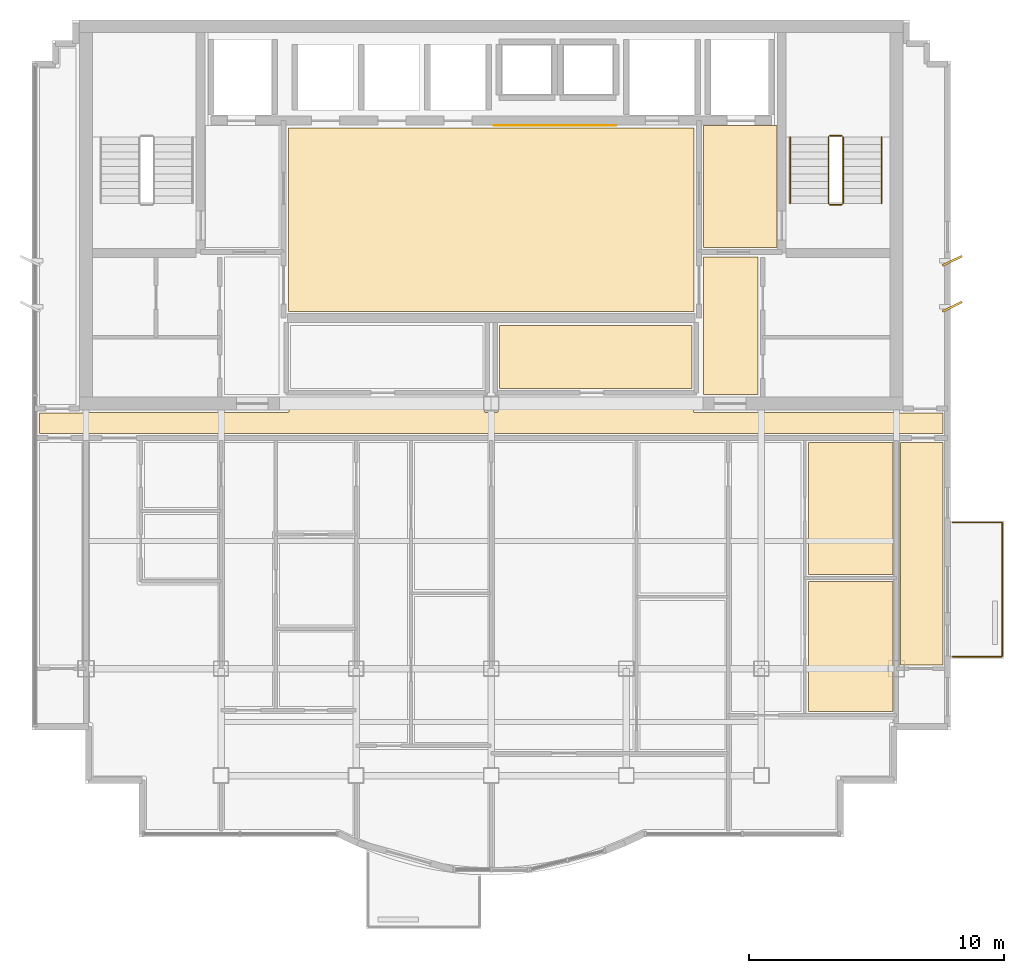
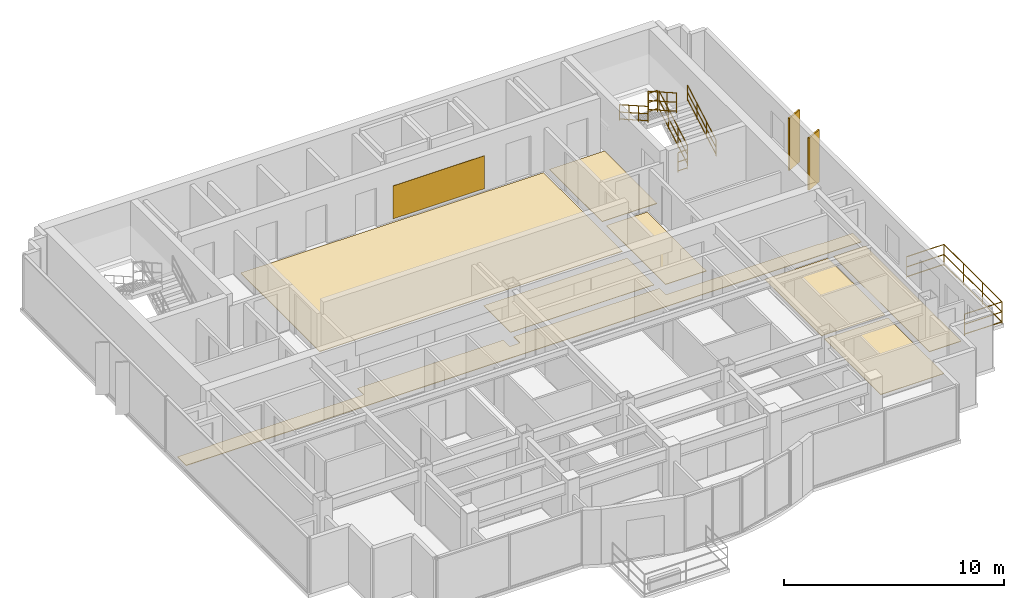
# One storey, part 11 of 11: 9 coverings, 7 railings, 2 shading devices.
"""IFC4 building model written with IfcOpenShell, lengths in metres."""

from ifc_helpers import new_model, si_unit, direction, frame, origin, origin_2d, place, context, subcontext, project, spatial, polyline, rectangle, circle, outline, extrude, source, transform, mapped, material, layer, layer_set, type_object, element, save


model = new_model("IFC4")

# Units and contexts
model_context = context("Model", 3, precision=1e-05, world=origin(), true_north=direction((0.0, 1.0)))
body_context = subcontext(model_context, "Body", "Model", "MODEL_VIEW")
ifc_project = project(units=[si_unit("LENGTHUNIT", "METRE"), si_unit("AREAUNIT", "SQUARE_METRE"), si_unit("VOLUMEUNIT", "CUBIC_METRE"), si_unit("PLANEANGLEUNIT", "RADIAN"), si_unit("MASSUNIT", "GRAM", prefix="KILO")], contexts=[model_context])

# Site, building, storey
site_placement = place(None, origin())
site = spatial("IfcSite", under=ifc_project, at=site_placement, CompositionType="ELEMENT")
building_placement = place(site_placement, origin())
building = spatial("IfcBuilding", under=site, at=building_placement, Name="Qianlan Lanfeng Residences", CompositionType="ELEMENT")
storey_placement = place(building_placement, frame((0.0, 0.0, 262.699951171875)))
storey = spatial("IfcBuildingStorey", under=building, at=storey_placement, Name="L73", CompositionType="ELEMENT", Elevation=262.699951171875)

# Coverings
ifc_material_1 = material(Name="Anodised Bronze Feature Wall Cladding")
ifc_layer_1 = layer(ifc_material_1, 0.02490234375)
ifc_layer_set_1 = layer_set([ifc_layer_1], Name="Anodised Bronze Feature Wall Cladding")
covering_type_1 = type_object("IfcCoveringType", Name="CLD-BRZ-25", PredefinedType="CLADDING", material=ifc_layer_set_1)
covering_1_placement = place(storey_placement, frame((0.0, 0.0, 0.150146484375)))
element("IfcCovering", 1, at=covering_1_placement, inside=storey, type_object=covering_type_1, Name="L73 Lift Lobby Bronze Feature Cladding", PredefinedType="CLADDING", context=body_context, shape_type="SweptSolid", body=[
    extrude(outline(polyline([(26.60009765625, 36.10009765625), (31.39990234375, 36.10009765625), (31.39990234375, 36.125), (26.60009765625, 36.125), (26.60009765625, 36.10009765625)])), origin(), (0.0, 0.0, 1.0), 1.829833984375),
])
ifc_material_2 = material(Name="Honed Taitung Granite Stone Flooring", Category="masonry")
ifc_layer_2 = layer(ifc_material_2, 0.030029296875)
ifc_layer_set_2 = layer_set([ifc_layer_2], Name="Honed Taitung Granite Stone Flooring")
covering_type_2 = type_object("IfcCoveringType", Name="FLR-STN-30", PredefinedType="FLOORING", material=ifc_layer_set_2)
covering_2_placement = place(storey_placement, origin())
element("IfcCovering", 2, at=covering_2_placement, inside=storey, type_object=covering_type_2, Name="L73 Firefighting Lift Lobby Floor Finish", PredefinedType="FLOORING", context=body_context, shape_type="SweptSolid", body=[
    extrude(outline(polyline([(34.820068359375, 31.320068359375), (37.7099609375, 31.320068359375), (37.7099609375, 36.110107421875), (34.820068359375, 36.110107421875), (34.820068359375, 31.320068359375)])), origin(), (0.0, 0.0, 1.0), 0.030029296875),
])
covering_3_placement = place(storey_placement, origin())
element("IfcCovering", 3, at=covering_3_placement, inside=storey, type_object=covering_type_2, Name="L73 Lift Lobby Floor Finish", PredefinedType="FLOORING", context=body_context, shape_type="SweptSolid", body=[
    extrude(outline(polyline([(18.550048828125, 28.820068359375), (34.449951171875, 28.820068359375), (34.449951171875, 36.010009765625), (18.550048828125, 36.010009765625), (18.550048828125, 28.820068359375)])), origin(), (0.0, 0.0, 1.0), 0.030029296875),
])
covering_4_placement = place(storey_placement, origin())
element("IfcCovering", 4, at=covering_4_placement, inside=storey, type_object=covering_type_2, Name="L73 Residential Corridor Floor Finish", PredefinedType="FLOORING", context=body_context, shape_type="SweptSolid", body=[
    extrude(outline(polyline([(8.77001953125, 24.030029296875), (44.22998046875, 24.030029296875), (44.22998046875, 24.820068359375), (42.5400390625, 24.820068359375), (42.532958984375, 24.820068359375), (42.52587890625, 24.821044921875), (42.52001953125, 24.822998046875), (42.512939453125, 24.824951171875), (42.507080078125, 24.827880859375), (42.5009765625, 24.83203125), (42.49609375, 24.8359375), (42.490966796875, 24.841064453125), (42.486083984375, 24.845947265625), (42.48291015625, 24.85009765625), (34.5, 24.85009765625), (34.492919921875, 24.85009765625), (34.486083984375, 24.85107421875), (34.47998046875, 24.85302734375), (34.472900390625, 24.85498046875), (34.467041015625, 24.85791015625), (34.4609375, 24.862060546875), (34.4560546875, 24.865966796875), (34.450927734375, 24.87109375), (34.446044921875, 24.8759765625), (34.44189453125, 24.881103515625), (34.43798828125, 24.886962890625), (34.43505859375, 24.89306640625), (34.43310546875, 24.89990234375), (34.430908203125, 24.906005859375), (34.429931640625, 24.9130859375), (34.429931640625, 24.919921875), (34.429931640625, 25.429931640625), (26.77001953125, 25.429931640625), (26.77001953125, 24.919921875), (26.77001953125, 24.9130859375), (26.76904296875, 24.906005859375), (26.76708984375, 24.89990234375), (26.764892578125, 24.89306640625), (26.761962890625, 24.886962890625), (26.758056640625, 24.881103515625), (26.75390625, 24.8759765625), (26.7490234375, 24.87109375), (26.743896484375, 24.865966796875), (26.739013671875, 24.862060546875), (26.73291015625, 24.85791015625), (26.72705078125, 24.85498046875), (26.719970703125, 24.85302734375), (26.714111328125, 24.85107421875), (26.70703125, 24.85009765625), (26.699951171875, 24.85009765625), (26.300048828125, 24.85009765625), (26.29296875, 24.85009765625), (26.285888671875, 24.85107421875), (26.280029296875, 24.85302734375), (26.27294921875, 24.85498046875), (26.26708984375, 24.85791015625), (26.260986328125, 24.862060546875), (26.256103515625, 24.865966796875), (26.2509765625, 24.87109375), (26.24609375, 24.8759765625), (26.241943359375, 24.881103515625), (26.238037109375, 24.886962890625), (26.235107421875, 24.89306640625), (26.23291015625, 24.89990234375), (26.23095703125, 24.906005859375), (26.22998046875, 24.9130859375), (26.22998046875, 24.919921875), (26.22998046875, 25.429931640625), (18.570068359375, 25.429931640625), (18.570068359375, 24.919921875), (18.570068359375, 24.9130859375), (18.569091796875, 24.906005859375), (18.56689453125, 24.89990234375), (18.56494140625, 24.89306640625), (18.56201171875, 24.886962890625), (18.55810546875, 24.881103515625), (18.553955078125, 24.8759765625), (18.549072265625, 24.87109375), (18.5439453125, 24.865966796875), (18.5390625, 24.862060546875), (18.532958984375, 24.85791015625), (18.527099609375, 24.85498046875), (18.52001953125, 24.85302734375), (18.513916015625, 24.85107421875), (18.507080078125, 24.85009765625), (18.5, 24.85009765625), (10.51708984375, 24.85009765625), (10.513916015625, 24.845947265625), (10.509033203125, 24.841064453125), (10.50390625, 24.8359375), (10.4990234375, 24.83203125), (10.492919921875, 24.827880859375), (10.487060546875, 24.824951171875), (10.47998046875, 24.822998046875), (10.47412109375, 24.821044921875), (10.467041015625, 24.820068359375), (10.4599609375, 24.820068359375), (8.77001953125, 24.820068359375), (8.77001953125, 24.030029296875)])), origin(), (0.0, 0.0, 1.0), 0.030029296875),
])
covering_5_placement = place(storey_placement, origin())
element("IfcCovering", 5, at=covering_5_placement, inside=storey, type_object=covering_type_2, Name="L73 Lift Lobby Floor Finish", PredefinedType="FLOORING", context=body_context, shape_type="SweptSolid", body=[
    extrude(outline(polyline([(34.830078125, 25.56005859375), (36.969970703125, 25.56005859375), (36.969970703125, 30.949951171875), (34.830078125, 30.949951171875), (34.830078125, 25.56005859375)])), origin(), (0.0, 0.0, 1.0), 0.030029296875),
])
ifc_material_3 = material(Name="Engineered Smoked Oak Timber Flooring", Category="wood")
ifc_layer_3 = layer(ifc_material_3, 0.02197265625)
ifc_layer_set_3 = layer_set([ifc_layer_3], Name="Engineered Smoked Oak Timber Flooring")
covering_type_3 = type_object("IfcCoveringType", Name="FLR-TIM-22", PredefinedType="FLOORING", material=ifc_layer_set_3)
covering_6_placement = place(storey_placement, origin())
element("IfcCovering", 6, at=covering_6_placement, inside=storey, type_object=covering_type_3, Name="L73 Tea Room Floor Finish", PredefinedType="FLOORING", context=body_context, shape_type="SweptSolid", body=[
    extrude(outline(polyline([(26.830078125, 25.800048828125), (34.3701171875, 25.800048828125), (34.3701171875, 28.2548828125), (26.830078125, 28.2548828125), (26.830078125, 25.800048828125)])), origin(), (0.0, 0.0, 1.0), 0.02197265625),
])
covering_7_placement = place(storey_placement, origin())
element("IfcCovering", 7, at=covering_7_placement, inside=storey, type_object=covering_type_3, Name="L73 Private Study Floor Finish", PredefinedType="FLOORING", context=body_context, shape_type="SweptSolid", body=[
    extrude(outline(polyline([(38.93994140625, 13.110107421875), (42.27001953125, 13.110107421875), (42.27001953125, 18.219970703125), (38.93994140625, 18.219970703125), (38.93994140625, 13.110107421875)])), origin(), (0.0, 0.0, 1.0), 0.02197265625),
])
covering_8_placement = place(storey_placement, origin())
element("IfcCovering", 8, at=covering_8_placement, inside=storey, type_object=covering_type_3, Name="L73 Banquet Dining Room Floor Finish", PredefinedType="FLOORING", context=body_context, shape_type="SweptSolid", body=[
    extrude(outline(polyline([(38.93994140625, 18.5), (42.27001953125, 18.5), (42.27001953125, 23.679931640625), (38.93994140625, 23.679931640625), (38.93994140625, 18.5)])), origin(), (0.0, 0.0, 1.0), 0.02197265625),
])
covering_9_placement = place(storey_placement, origin())
element("IfcCovering", 9, at=covering_9_placement, inside=storey, type_object=covering_type_3, Name="L73 Private Study Floor Finish", PredefinedType="FLOORING", context=body_context, shape_type="SweptSolid", body=[
    extrude(outline(polyline([(44.22998046875, 23.679931640625), (42.56005859375, 23.679931640625), (42.56005859375, 14.949951171875), (44.22998046875, 14.949951171875), (44.22998046875, 23.679931640625)])), origin(), (0.0, 0.0, 1.0), 0.02197265625),
])

# Railings
ifc_material_4 = material(Name="Anodised Bronze Aluminium and Laminated Glass Guard Balustrade", Category="aluminium")
railing_type_1 = type_object("IfcRailingType", Name="GR-EXT-1220", PredefinedType="BALUSTRADE", material=ifc_material_4)
railing_1_placement = place(storey_placement, frame((44.590087890625, 20.530029296875, 0.0)))
element("IfcRailing", 10, at=railing_1_placement, inside=storey, type_object=railing_type_1, Name="L73 Terrace Safety Guard GR-L73-EB-S", PredefinedType="BALUSTRADE", context=body_context, shape_type="SweptSolid", body=[
    extrude(circle(Radius=0.02490234375, at=origin_2d()), frame((0.0, 0.0, 0.0849609375), z_axis=(1.0, 0.0, 0.0), x_axis=(0.0, 1.0, 0.0)), (0.0, 0.0, 1.0), 1.9599609375),
    extrude(circle(Radius=0.02490234375, at=origin_2d()), frame((0.0, 0.0, 0.63427734375), z_axis=(1.0, 0.0, 0.0), x_axis=(0.0, 1.0, 0.0)), (0.0, 0.0, 1.0), 1.9599609375),
    extrude(circle(Radius=0.02490234375, at=origin_2d()), frame((0.0, 0.0, 1.19482421875), z_axis=(1.0, 0.0, 0.0), x_axis=(0.0, 1.0, 0.0)), (0.0, 0.0, 1.0), 1.9599609375),
    extrude(circle(Radius=0.02490234375, at=origin_2d()), frame((1.9599609375, 0.0, 0.0849609375), z_axis=(0.0, -1.0, 0.0), x_axis=(1.0, 0.0, 0.0)), (0.0, 0.0, 1.0), 5.260009765625),
    extrude(circle(Radius=0.02490234375, at=origin_2d()), frame((1.9599609375, 0.0, 0.63427734375), z_axis=(0.0, -1.0, 0.0), x_axis=(1.0, 0.0, 0.0)), (0.0, 0.0, 1.0), 5.260009765625),
    extrude(circle(Radius=0.02490234375, at=origin_2d()), frame((1.9599609375, 0.0, 1.19482421875), z_axis=(0.0, -1.0, 0.0), x_axis=(1.0, 0.0, 0.0)), (0.0, 0.0, 1.0), 5.260009765625),
    extrude(circle(Radius=0.02490234375, at=origin_2d()), frame((1.9599609375, -5.260009765625, 0.0849609375), z_axis=(-1.0, 0.0, 0.0), x_axis=(0.0, -1.0, 0.0)), (0.0, 0.0, 1.0), 1.9599609375),
    extrude(circle(Radius=0.02490234375, at=origin_2d()), frame((1.9599609375, -5.260009765625, 0.63427734375), z_axis=(-1.0, 0.0, 0.0), x_axis=(0.0, -1.0, 0.0)), (0.0, 0.0, 1.0), 1.9599609375),
    extrude(circle(Radius=0.02490234375, at=origin_2d()), frame((1.9599609375, -5.260009765625, 1.19482421875), z_axis=(-1.0, 0.0, 0.0), x_axis=(0.0, -1.0, 0.0)), (0.0, 0.0, 1.0), 1.9599609375),
    extrude(circle(Radius=0.02099609375, at=origin_2d()), origin(), (0.0, 0.0, 1.0), 1.169921875),
    extrude(circle(Radius=0.02099609375, at=origin_2d()), frame((1.9599609375, 0.0, 0.0)), (0.0, 0.0, 1.0), 1.169921875),
    extrude(circle(Radius=0.02099609375, at=origin_2d()), frame((1.9599609375, -1.75341796875, 0.0)), (0.0, 0.0, 1.0), 1.169921875),
    extrude(circle(Radius=0.02099609375, at=origin_2d()), frame((1.9599609375, -3.506591796875, 0.0)), (0.0, 0.0, 1.0), 1.169921875),
    extrude(circle(Radius=0.02099609375, at=origin_2d()), frame((1.9599609375, -5.260009765625, 0.0)), (0.0, 0.0, 1.0), 1.169921875),
    extrude(circle(Radius=0.02099609375, at=origin_2d()), frame((0.0, -5.260009765625, 0.0)), (0.0, 0.0, 1.0), 1.169921875),
])
ifc_material_5 = material(Name="Painted Galvanised Steel Guardrail", Category="steel")
railing_type_2 = type_object("IfcRailingType", Name="GR-ST-1120", PredefinedType="GUARDRAIL", material=ifc_material_5)
railing_2_placement = place(storey_placement, frame((40.31005859375, 33.050048828125, 0.1650390625)))
element("IfcRailing", 11, at=railing_2_placement, inside=storey, type_object=railing_type_2, Name="L73 ST-2 stair guard 1", PredefinedType="GUARDRAIL", context=body_context, shape_type="SweptSolid", body=[
    extrude(circle(Radius=0.02392578125, at=origin_2d()), frame((0.0, 0.0, 0.083984375), z_axis=(0.0, 0.869137319866, 0.494570843475), x_axis=(-1.0, 0.0, 0.0)), (0.0, 0.0, 1.0), 3.0029296875),
    extrude(circle(Radius=0.02392578125, at=origin_2d()), frame((0.0, 0.0, 0.58251953125), z_axis=(0.0, 0.869137319866, 0.494570843475), x_axis=(-1.0, 0.0, 0.0)), (0.0, 0.0, 1.0), 3.0029296875),
    extrude(circle(Radius=0.02392578125, at=origin_2d()), frame((0.0, 0.0, 1.09619140625), z_axis=(0.0, 0.869137319866, 0.494570843475), x_axis=(-1.0, 0.0, 0.0)), (0.0, 0.0, 1.0), 3.0029296875),
    extrude(circle(Radius=0.02099609375, at=origin_2d()), origin(), (0.0, 0.0, 1.0), 1.072021484375),
    extrude(circle(Radius=0.02099609375, at=origin_2d()), frame((0.0, 0.869873046875, 0.4951171875)), (0.0, 0.0, 1.0), 1.072021484375),
    extrude(circle(Radius=0.02099609375, at=origin_2d()), frame((0.0, 1.739990234375, 0.989990234375)), (0.0, 0.0, 1.0), 1.072021484375),
    extrude(circle(Radius=0.02099609375, at=origin_2d()), frame((0.0, 2.60986328125, 1.485107421875)), (0.0, 0.0, 1.0), 1.072021484375),
])
railing_3_placement = place(storey_placement, frame((40.260009765625, 35.7099609375, 1.650146484375)))
element("IfcRailing", 12, at=railing_3_placement, inside=storey, type_object=railing_type_2, Name="L73 ST-2 stair guard 2", PredefinedType="GUARDRAIL", context=body_context, shape_type="SweptSolid", body=[
    extrude(circle(Radius=0.02392578125, at=origin_2d()), frame((0.0, 0.0, 0.083984375), z_axis=(-1.0, 0.0, 0.0), x_axis=(0.0, -1.0, 0.0)), (0.0, 0.0, 1.0), 0.47998046875),
    extrude(circle(Radius=0.02392578125, at=origin_2d()), frame((0.0, 0.0, 0.58251953125), z_axis=(-1.0, 0.0, 0.0), x_axis=(0.0, -1.0, 0.0)), (0.0, 0.0, 1.0), 0.47998046875),
    extrude(circle(Radius=0.02392578125, at=origin_2d()), frame((0.0, 0.0, 1.09619140625), z_axis=(-1.0, 0.0, 0.0), x_axis=(0.0, -1.0, 0.0)), (0.0, 0.0, 1.0), 0.47998046875),
    extrude(circle(Radius=0.02099609375, at=origin_2d()), origin(), (0.0, 0.0, 1.0), 1.072021484375),
    extrude(circle(Radius=0.02099609375, at=origin_2d()), frame((-0.47998046875, 0.0, 0.0)), (0.0, 0.0, 1.0), 1.072021484375),
])
railing_4_placement = place(storey_placement, frame((39.72998046875, 35.659912109375, 1.81494140625)))
element("IfcRailing", 13, at=railing_4_placement, inside=storey, type_object=railing_type_2, Name="L73 ST-2 stair guard 3", PredefinedType="GUARDRAIL", context=body_context, shape_type="SweptSolid", body=[
    extrude(circle(Radius=0.02392578125, at=origin_2d()), frame((0.0, 0.0, 0.083984375), z_axis=(0.0, -0.869137319866, 0.494570843475), x_axis=(1.0, 0.0, 0.0)), (0.0, 0.0, 1.0), 3.0029296875),
    extrude(circle(Radius=0.02392578125, at=origin_2d()), frame((0.0, 0.0, 0.58251953125), z_axis=(0.0, -0.869137319866, 0.494570843475), x_axis=(1.0, 0.0, 0.0)), (0.0, 0.0, 1.0), 3.0029296875),
    extrude(circle(Radius=0.02392578125, at=origin_2d()), frame((0.0, 0.0, 1.09619140625), z_axis=(0.0, -0.869137319866, 0.494570843475), x_axis=(1.0, 0.0, 0.0)), (0.0, 0.0, 1.0), 3.0029296875),
    extrude(circle(Radius=0.02099609375, at=origin_2d()), origin(), (0.0, 0.0, 1.0), 1.072021484375),
    extrude(circle(Radius=0.02099609375, at=origin_2d()), frame((0.0, -0.869873046875, 0.4951171875)), (0.0, 0.0, 1.0), 1.072021484375),
    extrude(circle(Radius=0.02099609375, at=origin_2d()), frame((0.0, -1.739990234375, 0.989990234375)), (0.0, 0.0, 1.0), 1.072021484375),
    extrude(circle(Radius=0.02099609375, at=origin_2d()), frame((0.0, -2.60986328125, 1.485107421875)), (0.0, 0.0, 1.0), 1.072021484375),
])
railing_5_placement = place(storey_placement, frame((40.260009765625, 33.0, 0.0)))
element("IfcRailing", 14, at=railing_5_placement, inside=storey, type_object=railing_type_2, Name="L73 ST-2 stair guard 4", PredefinedType="GUARDRAIL", context=body_context, shape_type="SweptSolid", body=[
    extrude(circle(Radius=0.02392578125, at=origin_2d()), frame((0.0, 0.0, 0.083984375), z_axis=(-1.0, 0.0, 0.0), x_axis=(0.0, -1.0, 0.0)), (0.0, 0.0, 1.0), 0.47998046875),
    extrude(circle(Radius=0.02392578125, at=origin_2d()), frame((0.0, 0.0, 0.58251953125), z_axis=(-1.0, 0.0, 0.0), x_axis=(0.0, -1.0, 0.0)), (0.0, 0.0, 1.0), 0.47998046875),
    extrude(circle(Radius=0.02392578125, at=origin_2d()), frame((0.0, 0.0, 1.09619140625), z_axis=(-1.0, 0.0, 0.0), x_axis=(0.0, -1.0, 0.0)), (0.0, 0.0, 1.0), 0.47998046875),
    extrude(circle(Radius=0.02099609375, at=origin_2d()), origin(), (0.0, 0.0, 1.0), 1.072021484375),
    extrude(circle(Radius=0.02099609375, at=origin_2d()), frame((-0.47998046875, 0.0, 0.0)), (0.0, 0.0, 1.0), 1.072021484375),
])
ifc_material_6 = material(Name="Brushed Stainless Steel Handrail", Category="steel")
railing_type_3 = type_object("IfcRailingType", Name="HR-ST-920", PredefinedType="HANDRAIL", material=ifc_material_6)
railing_6_placement = place(storey_placement, frame((41.81005859375, 33.050048828125, 0.1650390625)))
element("IfcRailing", 15, at=railing_6_placement, inside=storey, type_object=railing_type_3, Name="L73 ST-2 stair handrail 1", PredefinedType="HANDRAIL", context=body_context, shape_type="SweptSolid", body=[
    extrude(circle(Radius=0.02392578125, at=origin_2d()), frame((0.0, 0.0, 0.083984375), z_axis=(0.0, 0.869137319866, 0.494570843475), x_axis=(-1.0, 0.0, 0.0)), (0.0, 0.0, 1.0), 3.0029296875),
    extrude(circle(Radius=0.02392578125, at=origin_2d()), frame((0.0, 0.0, 0.468017578125), z_axis=(0.0, 0.869137319866, 0.494570843475), x_axis=(-1.0, 0.0, 0.0)), (0.0, 0.0, 1.0), 3.0029296875),
    extrude(circle(Radius=0.02392578125, at=origin_2d()), frame((0.0, 0.0, 0.8759765625), z_axis=(0.0, 0.869137319866, 0.494570843475), x_axis=(-1.0, 0.0, 0.0)), (0.0, 0.0, 1.0), 3.0029296875),
    extrude(circle(Radius=0.02099609375, at=origin_2d()), origin(), (0.0, 0.0, 1.0), 0.851806640625),
    extrude(circle(Radius=0.02099609375, at=origin_2d()), frame((0.0, 0.869873046875, 0.4951171875)), (0.0, 0.0, 1.0), 0.851806640625),
    extrude(circle(Radius=0.02099609375, at=origin_2d()), frame((0.0, 1.739990234375, 0.989990234375)), (0.0, 0.0, 1.0), 0.851806640625),
    extrude(circle(Radius=0.02099609375, at=origin_2d()), frame((0.0, 2.60986328125, 1.485107421875)), (0.0, 0.0, 1.0), 0.851806640625),
])
railing_7_placement = place(storey_placement, frame((38.22998046875, 35.659912109375, 1.81494140625)))
element("IfcRailing", 16, at=railing_7_placement, inside=storey, type_object=railing_type_3, Name="L73 ST-2 stair handrail 2", PredefinedType="HANDRAIL", context=body_context, shape_type="SweptSolid", body=[
    extrude(circle(Radius=0.02392578125, at=origin_2d()), frame((0.0, 0.0, 0.083984375), z_axis=(0.0, -0.869137319866, 0.494570843475), x_axis=(1.0, 0.0, 0.0)), (0.0, 0.0, 1.0), 3.0029296875),
    extrude(circle(Radius=0.02392578125, at=origin_2d()), frame((0.0, 0.0, 0.468017578125), z_axis=(0.0, -0.869137319866, 0.494570843475), x_axis=(1.0, 0.0, 0.0)), (0.0, 0.0, 1.0), 3.0029296875),
    extrude(circle(Radius=0.02392578125, at=origin_2d()), frame((0.0, 0.0, 0.8759765625), z_axis=(0.0, -0.869137319866, 0.494570843475), x_axis=(1.0, 0.0, 0.0)), (0.0, 0.0, 1.0), 3.0029296875),
    extrude(circle(Radius=0.02099609375, at=origin_2d()), origin(), (0.0, 0.0, 1.0), 0.851806640625),
    extrude(circle(Radius=0.02099609375, at=origin_2d()), frame((0.0, -0.869873046875, 0.4951171875)), (0.0, 0.0, 1.0), 0.851806640625),
    extrude(circle(Radius=0.02099609375, at=origin_2d()), frame((0.0, -1.739990234375, 0.989990234375)), (0.0, 0.0, 1.0), 0.851806640625),
    extrude(circle(Radius=0.02099609375, at=origin_2d()), frame((0.0, -2.60986328125, 1.485107421875)), (0.0, 0.0, 1.0), 0.851806640625),
])

# Shading devices
ifc_material_7 = material(Name="Anodised Bronze Aluminium Solar Fin", Category="aluminium")
shading_device_type = type_object("IfcShadingDeviceType", Name="FIN-BRZ-850", PredefinedType="SHUTTER", material=ifc_material_7)
shared_shape = source(origin(), body_context, "Body", "SweptSolid", [
    extrude(rectangle(XDim=0.85009765625, YDim=0.080078125, at=origin_2d()), origin(), (0.0, 0.0, 1.0), 2.89990234375),
])
for number, where, z_axis, x_axis, name in (
    (17, (44.590087890625, 29.0, 0.0), (0.0, 0.0, 1.0), (0.898794046299, 0.438371146789, 0.0), "L73 Raked Bronze Solar Fin E1"),
    (18, (44.590087890625, 30.800048828125, 0.0), (0.0, 0.0, 1.0), (0.898794046299, 0.438371146789, 0.0), "L73 Raked Bronze Solar Fin E2"),
):
    element("IfcShadingDevice", number, at=place(storey_placement, frame(where, z_axis=z_axis, x_axis=x_axis)), inside=storey, type_object=shading_device_type, Name=name, PredefinedType="SHUTTER", context=body_context, shape_type="MappedRepresentation", body=[
        mapped(shared_shape, transform((0.0, 0.0, 0.0), scale=1.0)),
    ])

save(model, "model.ifc")
